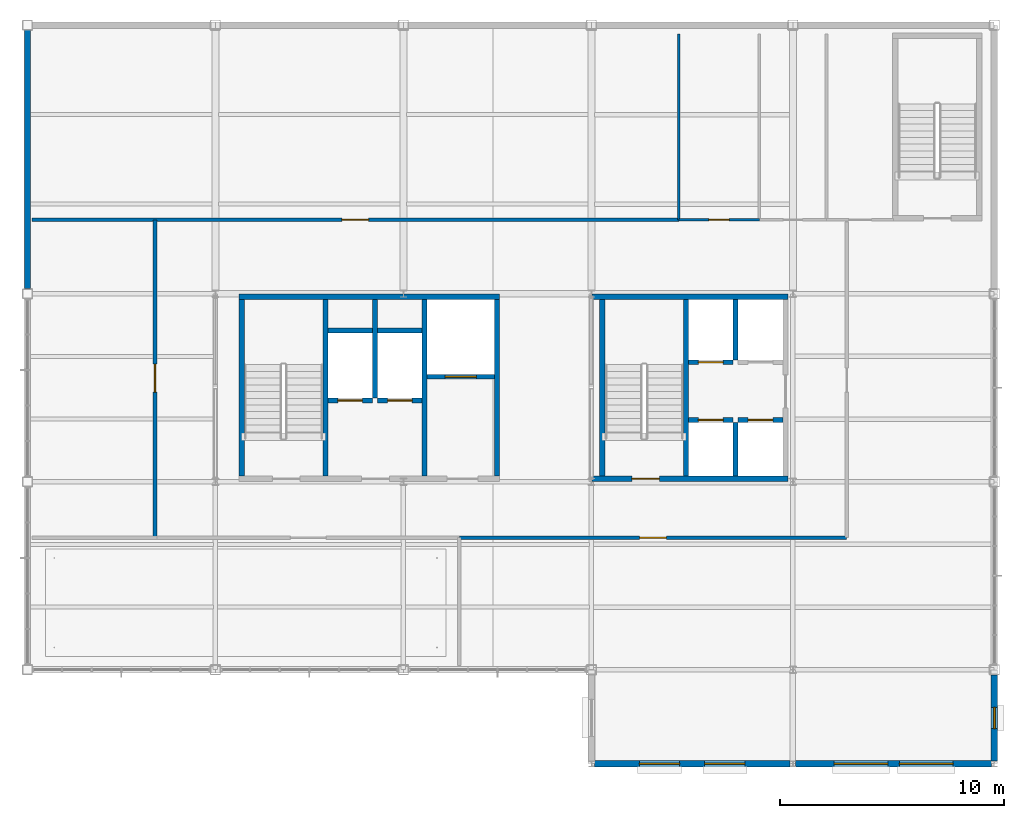
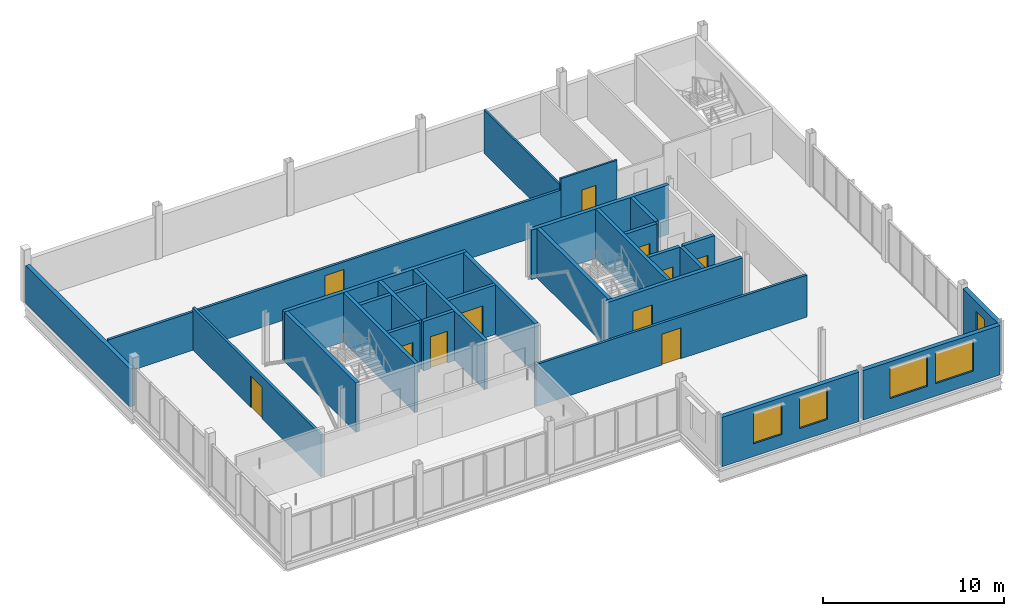
# One storey, part 14 of 19: 29 walls, 11 doors, 5 windows, 16 openings.
"""IFC4 building model written with IfcOpenShell, lengths in metres."""

import ifcopenshell
import ifcopenshell.guid

model = None  # the IFC model being written
_history = None  # IfcOwnerHistory: only IFC2X3 demands one
_inside = {}  # id of a spatial element -> (the spatial element, [elements in it])
_under = {}  # id of a project, library or spatial element -> (it, [spatial elements below it])
_declared = {}  # id of a project -> (the project, [libraries it declares])
_typed = {}  # id of a type object -> (the type object, [elements of that type])
_made_of = {}  # id of a material, layer set ... -> (it, [elements and type objects made of it])


def new_model(schema):
    """Start an empty IFC model of exactly this schema.

    Asked for "IFC4X3", IfcOpenShell would pick the latest addendum, in which some entities
    have other attributes; the version numbers below select the first issue.
    IFC2X3 requires an IfcOwnerHistory on every rooted entity: one is made here for all.
    """
    global model, _history
    if schema == "IFC4X3":
        model = ifcopenshell.file(schema_version=(4, 3, 0, 0))
    else:
        model = ifcopenshell.file(schema=schema)
    _inside.clear()
    _under.clear()
    _declared.clear()
    _typed.clear()
    _made_of.clear()
    _history = None
    if model.schema == "IFC2X3":
        org = make("IfcOrganization", Name="unknown")
        user = make(
            "IfcPersonAndOrganization",
            ThePerson=make("IfcPerson", FamilyName="unknown"),
            TheOrganization=org,
        )
        app = make(
            "IfcApplication",
            ApplicationDeveloper=org,
            Version="unknown",
            ApplicationFullName="unknown",
            ApplicationIdentifier="unknown",
        )
        _history = make(
            "IfcOwnerHistory",
            OwningUser=user,
            OwningApplication=app,
            ChangeAction="ADDED",
            CreationDate=0,
        )
    return model


def make(cls, **values):
    """One entity of the class cls with the attributes given. An attribute that is None is left unset."""
    return model.create_entity(
        cls, **{name: value for name, value in values.items() if value is not None}
    )


def rooted(cls, **values):
    """An entity with a GlobalId (a new one), such as an element, a storey or a relation."""
    return make(cls, GlobalId=ifcopenshell.guid.new(), OwnerHistory=_history, **values)


def si_unit(unit_type, name, prefix=None):
    """IfcSIUnit, for example si_unit("LENGTHUNIT", "METRE", prefix="MILLI")."""
    return make("IfcSIUnit", UnitType=unit_type, Prefix=prefix, Name=name)


def assignment(units):
    """IfcUnitAssignment: the units of a project."""
    return None if units is None else make("IfcUnitAssignment", Units=units)


def point(xyz):
    """IfcCartesianPoint."""
    return None if xyz is None else make("IfcCartesianPoint", Coordinates=xyz)


def direction(xyz):
    """IfcDirection."""
    return None if xyz is None else make("IfcDirection", DirectionRatios=xyz)


def frame(location, z_axis=None, x_axis=None):
    """IfcAxis2Placement3D, a coordinate frame: its origin and axes. An axis left out is left unset."""
    return make(
        "IfcAxis2Placement3D",
        Location=point(location),
        Axis=direction(z_axis),
        RefDirection=direction(x_axis),
    )


def frame_2d(location, x_axis=None):
    """IfcAxis2Placement2D, a coordinate frame in the plane: its origin and x axis."""
    return make(
        "IfcAxis2Placement2D", Location=point(location), RefDirection=direction(x_axis)
    )


def origin():
    """The frame at (0, 0, 0) with its axes left unset."""
    return frame((0.0, 0.0, 0.0))


def place(relative_to, where):
    """IfcLocalPlacement: puts the frame where relative to a parent placement (None: the world)."""
    return make(
        "IfcLocalPlacement", PlacementRelTo=relative_to, RelativePlacement=where
    )


def context(
    kind, dimensions, precision=None, world=None, true_north=None, identifier=None
):
    """IfcGeometricRepresentationContext, for example the 3D "Model" context."""
    return make(
        "IfcGeometricRepresentationContext",
        ContextIdentifier=identifier,
        ContextType=kind,
        CoordinateSpaceDimension=dimensions,
        Precision=precision,
        WorldCoordinateSystem=world,
        TrueNorth=true_north,
    )


def subcontext(parent, identifier, kind, view, scale=None):
    """IfcGeometricRepresentationSubContext, for example "Body" below "Model"."""
    return make(
        "IfcGeometricRepresentationSubContext",
        ContextIdentifier=identifier,
        ContextType=kind,
        ParentContext=parent,
        TargetScale=scale,
        TargetView=view,
    )


def project(units=None, contexts=None):
    """IfcProject with its units and contexts."""
    return rooted(
        "IfcProject",
        Name="project",
        RepresentationContexts=contexts,
        UnitsInContext=assignment(units),
    )


def spatial(cls, under=None, at=None, **own):
    """A site, building, storey or space (cls), placed at a placement, below another one or the project."""
    s = rooted(cls, ObjectPlacement=at, **own)
    if under is not None:
        _under.setdefault(under.id(), (under, []))[1].append(s)
    return s


def profile(cls, at=None, kind="AREA", **sizes):
    """A parametric profile (cls). Its sizes go by their IFC names, for example OverallWidth=200.0."""
    return make(cls, ProfileType=kind, Position=at, **sizes)


def rectangle(**sizes):
    """IfcRectangleProfileDef."""
    return profile("IfcRectangleProfileDef", **sizes)


def extrude(swept, where, along, depth):
    """IfcExtrudedAreaSolid: the profile swept, set in the frame where, extruded along a direction by depth."""
    return make(
        "IfcExtrudedAreaSolid",
        SweptArea=swept,
        Position=where,
        ExtrudedDirection=direction(along),
        Depth=depth,
    )


def shape(context_of_items, identifier, shape_type, items):
    """IfcShapeRepresentation: the items that make up one representation, for example the "Body"."""
    return make(
        "IfcShapeRepresentation",
        ContextOfItems=context_of_items,
        RepresentationIdentifier=identifier,
        RepresentationType=shape_type,
        Items=items,
    )


def material(Name=None, Category=None):
    """IfcMaterial."""
    return make("IfcMaterial", Name=Name, Category=Category)


def layer(
    of_material, thickness, ventilated=None, Name=None, Category=None, Priority=None
):
    """IfcMaterialLayer: one layer of a wall or slab, of a material (None: an air gap)."""
    return make(
        "IfcMaterialLayer",
        Material=of_material,
        LayerThickness=thickness,
        IsVentilated=ventilated,
        Name=Name,
        Category=Category,
        Priority=Priority,
    )


def layer_set(layers, Name=None):
    """IfcMaterialLayerSet."""
    return make("IfcMaterialLayerSet", MaterialLayers=layers, LayerSetName=Name)


def made_of(thing, what):
    """Note that an element or type object is made of a material, layer set ...; save() writes the relation."""
    if what is not None:
        _made_of.setdefault(what.id(), (what, []))[1].append(thing)
    return thing


def type_object(cls, material=None, **own):
    """A type object (cls), such as IfcWallType, which elements share."""
    return made_of(rooted(cls, **own), material)


def element(
    cls,
    number,
    at=None,
    inside=None,
    cuts=None,
    type_object=None,
    material=None,
    context=None,
    identifier="Body",
    shape_type=None,
    held_by="IfcProductDefinitionShape",
    body=None,
    shapes=None,
    **own,
):
    """One element of the class cls, such as IfcWall. Its Tag is "e" and its number.

    at: its placement. inside: the storey or other place that contains it. cuts: it is an
    opening in that element (IfcRelVoidsElement). A single representation is given by context,
    identifier, shape_type and body (its items); several are given by shapes. held_by: the class
    of the entity that holds the representations. save() writes the other relations.
    """
    e = rooted(cls, Tag="e%d" % number, ObjectPlacement=at, **own)
    if body is not None:
        shapes = [shape(context, identifier, shape_type, body)]
    if shapes is not None:
        e.Representation = make(held_by, Representations=shapes)
    if inside is not None:
        _inside.setdefault(inside.id(), (inside, []))[1].append(e)
    if cuts is not None:
        rooted(
            "IfcRelVoidsElement", RelatingBuildingElement=cuts, RelatedOpeningElement=e
        )
    if type_object is not None:
        _typed.setdefault(type_object.id(), (type_object, []))[1].append(e)
    return made_of(e, material)


def fill(opening, filler):
    """IfcRelFillsElement: the door or window that sits in an opening."""
    return rooted(
        "IfcRelFillsElement",
        RelatingOpeningElement=opening,
        RelatedBuildingElement=filler,
    )


def aggregate(whole, parts):
    """IfcRelAggregates: a whole, such as a stair, and the parts it consists of."""
    return rooted("IfcRelAggregates", RelatingObject=whole, RelatedObjects=parts)


def save(model, path):
    """Write the relations noted so far, then the file.

    IfcRelAggregates (storeys below a building ...), IfcRelContainedInSpatialStructure (elements
    in a storey), IfcRelDefinesByType, IfcRelAssociatesMaterial and IfcRelDeclares: one each for
    every whole, place, type object, material and project.
    """
    for whole, parts in _under.values():
        aggregate(whole, parts)
    for where, things in _inside.values():
        rooted(
            "IfcRelContainedInSpatialStructure",
            RelatedElements=things,
            RelatingStructure=where,
        )
    for kind, things in _typed.values():
        rooted("IfcRelDefinesByType", RelatedObjects=things, RelatingType=kind)
    for what, things in _made_of.values():
        rooted("IfcRelAssociatesMaterial", RelatedObjects=things, RelatingMaterial=what)
    for by, libraries in _declared.values():
        rooted("IfcRelDeclares", RelatingContext=by, RelatedDefinitions=libraries)
    model.write(path)


model = new_model("IFC4")

# Units and contexts
model_context = context("Model", 3, precision=1e-05, world=origin(), true_north=direction((0.0, 1.0)))
body_context = subcontext(model_context, "Body", "Model", "MODEL_VIEW")
ifc_project = project(units=[si_unit("LENGTHUNIT", "METRE"), si_unit("AREAUNIT", "SQUARE_METRE"), si_unit("VOLUMEUNIT", "CUBIC_METRE"), si_unit("PLANEANGLEUNIT", "RADIAN"), si_unit("MASSUNIT", "GRAM", prefix="KILO")], contexts=[model_context])

# Site, building, storey
site_placement = place(None, origin())
site = spatial("IfcSite", under=ifc_project, at=site_placement, CompositionType="ELEMENT")
building_placement = place(site_placement, origin())
building = spatial("IfcBuilding", under=site, at=building_placement, Name="Yukiwa Park Conservatory and Herbarium", CompositionType="ELEMENT")
storey_placement = place(building_placement, frame((0.0, 0.0, 46.800048828125)))
storey = spatial("IfcBuildingStorey", under=building, at=storey_placement, Name="L12", CompositionType="ELEMENT", Elevation=46.800048828125)

# Walls
ifc_material_1 = material(Name="Concrete C40", Category="concrete")
ifc_layer_1 = layer(ifc_material_1, 0.219970703125)
ifc_layer_set_1 = layer_set([ifc_layer_1], Name="Concrete C40")
wall_type_1 = type_object("IfcWallType", Name="WL-CORE-RC220", PredefinedType="SHEAR", material=ifc_layer_set_1)
wall_1_placement = place(storey_placement, frame((138.110107421875, 95.050048828125, 0.0), z_axis=(0.0, 0.0, 1.0), x_axis=(0.0, 1.0, 0.0)))
element("IfcWall", 1, at=wall_1_placement, inside=storey, type_object=wall_type_1, Name="L12 core shear wall 706", PredefinedType="SHEAR", context=body_context, shape_type="SweptSolid", body=[
    extrude(rectangle(XDim=7.89990234375, YDim=0.219970703125, at=frame_2d((3.949951171875, 0.0))), origin(), (0.0, 0.0, 1.0), 3.337890625),
])
wall_2_placement = place(storey_placement, frame((140.330078125, 98.5400390625, 0.0), z_axis=(0.0, 0.0, 1.0), x_axis=(0.0, 1.0, 0.0)))
element("IfcWall", 2, at=wall_2_placement, inside=storey, type_object=wall_type_1, Name="L12 core shear wall 707", PredefinedType="SHEAR", context=body_context, shape_type="SweptSolid", body=[
    extrude(rectangle(XDim=4.409912109375, YDim=0.219970703125, at=frame_2d((2.205078125, 0.0))), origin(), (0.0, 0.0, 1.0), 3.337890625),
])
wall_3_placement = place(storey_placement, frame((142.550048828125, 95.050048828125, 0.0), z_axis=(0.0, 0.0, 1.0), x_axis=(0.0, 1.0, 0.0)))
element("IfcWall", 3, at=wall_3_placement, inside=storey, type_object=wall_type_1, Name="L12 core shear wall 708", PredefinedType="SHEAR", context=body_context, shape_type="SweptSolid", body=[
    extrude(rectangle(XDim=7.89990234375, YDim=0.219970703125, at=frame_2d((3.949951171875, 0.0))), origin(), (0.0, 0.0, 1.0), 3.337890625),
])

# Wall, opening, door
wall_4_placement = place(storey_placement, frame((138.219970703125, 98.429931640625, 0.0), z_axis=(0.0, 0.0, 1.0), x_axis=(1.0, 0.0, 0.0)))
wall_4 = element("IfcWall", 4, at=wall_4_placement, inside=storey, type_object=wall_type_1, Name="L12 core shear wall 710", PredefinedType="SHEAR", context=body_context, shape_type="SweptSolid", body=[
    extrude(rectangle(XDim=2.0, YDim=0.219970703125, at=frame_2d((1.0, 0.0))), origin(), (0.0, 0.0, 1.0), 3.337890625),
])
opening_1_placement = place(wall_4_placement, frame((0.449951171875, 0.0, 0.0)))
opening_1 = element("IfcOpeningElement", 5, at=opening_1_placement, cuts=wall_4, Name="Opening LD-01", PredefinedType="OPENING", context=body_context, shape_type="SweptSolid", body=[
    extrude(rectangle(XDim=1.10009765625, YDim=2.14990234375, at=frame_2d((0.550048828125, 1.074951171875))), frame((0.0, 0.1201171875, 0.0), z_axis=(0.0, -1.0, 0.0), x_axis=(1.0, 0.0, 0.0)), (0.0, 0.0, 1.0), 0.239990234375),
])
ifc_material_2 = material(Name="Steel Q235B", Category="steel")
door_type_1 = type_object("IfcDoorType", Name="DR-LIFT-LD1100", OperationType="SLIDING_TO_LEFT", PredefinedType="DOOR", material=ifc_material_2)
door_1_placement = place(opening_1_placement, origin())
door_1 = element("IfcDoor", 6, at=door_1_placement, inside=storey, type_object=door_type_1, Name="L12 Firefighting Lift FL1 sliding landing door", OperationType="SLIDING_TO_LEFT", OverallHeight=2.14990234375, OverallWidth=1.10009765625, PredefinedType="DOOR", context=body_context, shape_type="SweptSolid", body=[
    extrude(rectangle(XDim=1.10009765625, YDim=2.14990234375, at=frame_2d((0.550048828125, 1.074951171875))), frame((0.0, 0.02490234375, 0.0), z_axis=(0.0, -1.0, 0.0), x_axis=(1.0, 0.0, 0.0)), (0.0, 0.0, 1.0), 0.050048828125),
])
fill(opening_1, door_1)

wall_5_placement = place(storey_placement, frame((140.43994140625, 98.429931640625, 0.0), z_axis=(0.0, 0.0, 1.0), x_axis=(1.0, 0.0, 0.0)))
wall_5 = element("IfcWall", 7, at=wall_5_placement, inside=storey, type_object=wall_type_1, Name="L12 core shear wall 711", PredefinedType="SHEAR", context=body_context, shape_type="SweptSolid", body=[
    extrude(rectangle(XDim=2.0, YDim=0.219970703125, at=frame_2d((1.0, 0.0))), origin(), (0.0, 0.0, 1.0), 3.337890625),
])
opening_2_placement = place(wall_5_placement, frame((0.449951171875, 0.0, 0.0)))
opening_2 = element("IfcOpeningElement", 8, at=opening_2_placement, cuts=wall_5, Name="Opening LD-01", PredefinedType="OPENING", context=body_context, shape_type="SweptSolid", body=[
    extrude(rectangle(XDim=1.10009765625, YDim=2.14990234375, at=frame_2d((0.550048828125, 1.074951171875))), frame((0.0, 0.1201171875, 0.0), z_axis=(0.0, -1.0, 0.0), x_axis=(1.0, 0.0, 0.0)), (0.0, 0.0, 1.0), 0.239990234375),
])
door_2_placement = place(opening_2_placement, origin())
door_2 = element("IfcDoor", 9, at=door_2_placement, inside=storey, type_object=door_type_1, Name="L12 Firefighting Lift FL2 sliding landing door", OperationType="SLIDING_TO_LEFT", OverallHeight=2.14990234375, OverallWidth=1.10009765625, PredefinedType="DOOR", context=body_context, shape_type="SweptSolid", body=[
    extrude(rectangle(XDim=1.10009765625, YDim=2.14990234375, at=frame_2d((0.550048828125, 1.074951171875))), frame((0.0, 0.02490234375, 0.0), z_axis=(0.0, -1.0, 0.0), x_axis=(1.0, 0.0, 0.0)), (0.0, 0.0, 1.0), 0.050048828125),
])
fill(opening_2, door_2)

# Walls
for number, where, z_axis, x_axis, name in (
    (10, (138.219970703125, 101.550048828125, 0.0), (0.0, 0.0, 1.0), (1.0, 0.0, 0.0), "L12 core shear wall 712"),
    (11, (140.43994140625, 101.550048828125, 0.0), (0.0, 0.0, 1.0), (1.0, 0.0, 0.0), "L12 core shear wall 713"),
):
    element("IfcWall", number, at=place(storey_placement, frame(where, z_axis=z_axis, x_axis=x_axis)), inside=storey, type_object=wall_type_1, Name=name, PredefinedType="SHEAR", context=body_context, shape_type="SweptSolid", body=[
        extrude(rectangle(XDim=2.0, YDim=0.219970703125, at=frame_2d((1.0, 0.0))), origin(), (0.0, 0.0, 1.0), 3.337890625),
    ])

# Wall, opening, door
wall_6_placement = place(storey_placement, frame((142.659912109375, 99.489990234375, 0.0), z_axis=(0.0, 0.0, 1.0), x_axis=(1.0, 0.0, 0.0)))
wall_6 = element("IfcWall", 12, at=wall_6_placement, inside=storey, type_object=wall_type_1, Name="L12 core shear wall 714", PredefinedType="SHEAR", context=body_context, shape_type="SweptSolid", body=[
    extrude(rectangle(XDim=3.0, YDim=0.219970703125, at=frame_2d((1.5, 0.0))), origin(), (0.0, 0.0, 1.0), 3.337890625),
])
opening_3_placement = place(wall_6_placement, frame((0.800048828125, 0.0, 0.0)))
opening_3 = element("IfcOpeningElement", 13, at=opening_3_placement, cuts=wall_6, Name="Opening LD-02", PredefinedType="OPENING", context=body_context, shape_type="SweptSolid", body=[
    extrude(rectangle(XDim=1.39990234375, YDim=2.199951171875, at=frame_2d((0.699951171875, 1.10009765625))), frame((0.0, 0.1201171875, 0.0), z_axis=(0.0, -1.0, 0.0), x_axis=(1.0, 0.0, 0.0)), (0.0, 0.0, 1.0), 0.239990234375),
])
ifc_material_3 = material(Name="Steel Q235B", Category="steel")
door_type_2 = type_object("IfcDoorType", Name="DR-LIFT-LD1400", OperationType="SLIDING_TO_LEFT", PredefinedType="DOOR", material=ifc_material_3)
door_3_placement = place(opening_3_placement, origin())
door_3 = element("IfcDoor", 14, at=door_3_placement, inside=storey, type_object=door_type_2, Name="L12 Goods Lift GL1 sliding landing door", OperationType="SLIDING_TO_LEFT", OverallHeight=2.199951171875, OverallWidth=1.39990234375, PredefinedType="DOOR", context=body_context, shape_type="SweptSolid", body=[
    extrude(rectangle(XDim=1.39990234375, YDim=2.199951171875, at=frame_2d((0.699951171875, 1.10009765625))), frame((0.0, 0.02490234375, 0.0), z_axis=(0.0, -1.0, 0.0), x_axis=(1.0, 0.0, 0.0)), (0.0, 0.0, 1.0), 0.050048828125),
])
fill(opening_3, door_3)

# Walls
wall_7_placement = place(storey_placement, frame((154.219970703125, 95.050048828125, 0.0), z_axis=(0.0, 0.0, 1.0), x_axis=(0.0, 1.0, 0.0)))
element("IfcWall", 15, at=wall_7_placement, inside=storey, type_object=wall_type_1, Name="L12 core shear wall 718", PredefinedType="SHEAR", context=body_context, shape_type="SweptSolid", body=[
    extrude(rectangle(XDim=7.89990234375, YDim=0.219970703125, at=frame_2d((3.949951171875, 0.0))), origin(), (0.0, 0.0, 1.0), 3.337890625),
])
wall_8_placement = place(storey_placement, frame((156.43994140625, 100.25, 0.0), z_axis=(0.0, 0.0, 1.0), x_axis=(0.0, 1.0, 0.0)))
element("IfcWall", 16, at=wall_8_placement, inside=storey, type_object=wall_type_1, Name="L12 core shear wall 720", PredefinedType="SHEAR", context=body_context, shape_type="SweptSolid", body=[
    extrude(rectangle(XDim=2.699951171875, YDim=0.219970703125, at=frame_2d((1.35009765625, 0.0))), origin(), (0.0, 0.0, 1.0), 3.337890625),
])

# Wall, opening, door
wall_9_placement = place(storey_placement, frame((154.330078125, 100.139892578125, 0.0), z_axis=(0.0, 0.0, 1.0), x_axis=(1.0, 0.0, 0.0)))
wall_9 = element("IfcWall", 17, at=wall_9_placement, inside=storey, type_object=wall_type_1, Name="L12 core shear wall 721", PredefinedType="SHEAR", context=body_context, shape_type="SweptSolid", body=[
    extrude(rectangle(XDim=2.0, YDim=0.219970703125, at=frame_2d((1.0, 0.0))), origin(), (0.0, 0.0, 1.0), 3.337890625),
])
opening_4_placement = place(wall_9_placement, frame((0.449951171875, 0.0, 0.0)))
opening_4 = element("IfcOpeningElement", 18, at=opening_4_placement, cuts=wall_9, Name="Opening LD-01", PredefinedType="OPENING", context=body_context, shape_type="SweptSolid", body=[
    extrude(rectangle(XDim=1.10009765625, YDim=2.14990234375, at=frame_2d((0.550048828125, 1.074951171875))), frame((0.0, 0.1201171875, 0.0), z_axis=(0.0, -1.0, 0.0), x_axis=(1.0, 0.0, 0.0)), (0.0, 0.0, 1.0), 0.239990234375),
])
door_4_placement = place(opening_4_placement, origin())
door_4 = element("IfcDoor", 19, at=door_4_placement, inside=storey, type_object=door_type_1, Name="L12 Passenger Lift LP1 sliding landing door", OperationType="SLIDING_TO_LEFT", OverallHeight=2.14990234375, OverallWidth=1.10009765625, PredefinedType="DOOR", context=body_context, shape_type="SweptSolid", body=[
    extrude(rectangle(XDim=1.10009765625, YDim=2.14990234375, at=frame_2d((0.550048828125, 1.074951171875))), frame((0.0, 0.02490234375, 0.0), z_axis=(0.0, -1.0, 0.0), x_axis=(1.0, 0.0, 0.0)), (0.0, 0.0, 1.0), 0.050048828125),
])
fill(opening_4, door_4)

# Wall
wall_10_placement = place(storey_placement, frame((156.43994140625, 95.050048828125, 0.0), z_axis=(0.0, 0.0, 1.0), x_axis=(0.0, 1.0, 0.0)))
element("IfcWall", 20, at=wall_10_placement, inside=storey, type_object=wall_type_1, Name="L12 core shear wall 723", PredefinedType="SHEAR", context=body_context, shape_type="SweptSolid", body=[
    extrude(rectangle(XDim=2.39990234375, YDim=0.219970703125, at=frame_2d((1.199951171875, 0.0))), origin(), (0.0, 0.0, 1.0), 3.337890625),
])

# Wall, opening, door
wall_11_placement = place(storey_placement, frame((154.330078125, 97.56005859375, 0.0), z_axis=(0.0, 0.0, 1.0), x_axis=(1.0, 0.0, 0.0)))
wall_11 = element("IfcWall", 21, at=wall_11_placement, inside=storey, type_object=wall_type_1, Name="L12 core shear wall 724", PredefinedType="SHEAR", context=body_context, shape_type="SweptSolid", body=[
    extrude(rectangle(XDim=2.0, YDim=0.219970703125, at=frame_2d((1.0, 0.0))), origin(), (0.0, 0.0, 1.0), 3.337890625),
])
opening_5_placement = place(wall_11_placement, frame((0.449951171875, 0.0, 0.0)))
opening_5 = element("IfcOpeningElement", 22, at=opening_5_placement, cuts=wall_11, Name="Opening LD-01", PredefinedType="OPENING", context=body_context, shape_type="SweptSolid", body=[
    extrude(rectangle(XDim=1.10009765625, YDim=2.14990234375, at=frame_2d((0.550048828125, 1.074951171875))), frame((0.0, 0.1201171875, 0.0), z_axis=(0.0, -1.0, 0.0), x_axis=(1.0, 0.0, 0.0)), (0.0, 0.0, 1.0), 0.239990234375),
])
door_5_placement = place(opening_5_placement, origin())
door_5 = element("IfcDoor", 23, at=door_5_placement, inside=storey, type_object=door_type_1, Name="L12 Passenger Lift LP3 sliding landing door", OperationType="SLIDING_TO_LEFT", OverallHeight=2.14990234375, OverallWidth=1.10009765625, PredefinedType="DOOR", context=body_context, shape_type="SweptSolid", body=[
    extrude(rectangle(XDim=1.10009765625, YDim=2.14990234375, at=frame_2d((0.550048828125, 1.074951171875))), frame((0.0, 0.02490234375, 0.0), z_axis=(0.0, -1.0, 0.0), x_axis=(1.0, 0.0, 0.0)), (0.0, 0.0, 1.0), 0.050048828125),
])
fill(opening_5, door_5)

wall_12_placement = place(storey_placement, frame((156.550048828125, 97.56005859375, 0.0), z_axis=(0.0, 0.0, 1.0), x_axis=(1.0, 0.0, 0.0)))
wall_12 = element("IfcWall", 24, at=wall_12_placement, inside=storey, type_object=wall_type_1, Name="L12 core shear wall 725", PredefinedType="SHEAR", context=body_context, shape_type="SweptSolid", body=[
    extrude(rectangle(XDim=2.0, YDim=0.219970703125, at=frame_2d((1.0, 0.0))), origin(), (0.0, 0.0, 1.0), 3.337890625),
])
opening_6_placement = place(wall_12_placement, frame((0.449951171875, 0.0, 0.0)))
opening_6 = element("IfcOpeningElement", 25, at=opening_6_placement, cuts=wall_12, Name="Opening LD-01", PredefinedType="OPENING", context=body_context, shape_type="SweptSolid", body=[
    extrude(rectangle(XDim=1.10009765625, YDim=2.14990234375, at=frame_2d((0.550048828125, 1.074951171875))), frame((0.0, 0.1201171875, 0.0), z_axis=(0.0, -1.0, 0.0), x_axis=(1.0, 0.0, 0.0)), (0.0, 0.0, 1.0), 0.239990234375),
])
door_6_placement = place(opening_6_placement, origin())
door_6 = element("IfcDoor", 26, at=door_6_placement, inside=storey, type_object=door_type_1, Name="L12 Passenger Lift LP4 sliding landing door", OperationType="SLIDING_TO_LEFT", OverallHeight=2.14990234375, OverallWidth=1.10009765625, PredefinedType="DOOR", context=body_context, shape_type="SweptSolid", body=[
    extrude(rectangle(XDim=1.10009765625, YDim=2.14990234375, at=frame_2d((0.550048828125, 1.074951171875))), frame((0.0, 0.02490234375, 0.0), z_axis=(0.0, -1.0, 0.0), x_axis=(1.0, 0.0, 0.0)), (0.0, 0.0, 1.0), 0.050048828125),
])
fill(opening_6, door_6)

# Walls
ifc_material_4 = material(Name="Concrete C50", Category="concrete")
ifc_layer_2 = layer(ifc_material_4, 0.239990234375)
ifc_layer_set_2 = layer_set([ifc_layer_2], Name="Concrete C50")
wall_type_2 = type_object("IfcWallType", Name="WL-CORE-RC240", PredefinedType="SHEAR", material=ifc_layer_set_2)
wall_13_placement = place(storey_placement, frame((134.25, 103.070068359375, 0.0), z_axis=(0.0, 0.0, 1.0), x_axis=(1.0, 0.0, 0.0)))
element("IfcWall", 27, at=wall_13_placement, inside=storey, type_object=wall_type_2, Name="L12 core shear wall 704", PredefinedType="SHEAR", context=body_context, shape_type="SweptSolid", body=[
    extrude(rectangle(XDim=11.64990234375, YDim=0.239990234375, at=frame_2d((5.824951171875, 0.0))), origin(), (0.0, 0.0, 1.0), 3.337890625),
])
for number, where, z_axis, x_axis, name in (
    (28, (134.3701171875, 95.050048828125, 0.0), (0.0, 0.0, 1.0), (0.0, 1.0, 0.0), "L12 core shear wall 705"),
    (29, (145.780029296875, 95.050048828125, 0.0), (0.0, 0.0, 1.0), (0.0, 1.0, 0.0), "L12 core shear wall 709"),
):
    element("IfcWall", number, at=place(storey_placement, frame(where, z_axis=z_axis, x_axis=x_axis)), inside=storey, type_object=wall_type_2, Name=name, PredefinedType="SHEAR", context=body_context, shape_type="SweptSolid", body=[
        extrude(rectangle(XDim=7.89990234375, YDim=0.239990234375, at=frame_2d((3.949951171875, 0.0))), origin(), (0.0, 0.0, 1.0), 3.337890625),
    ])

# Wall, opening, door
wall_14_placement = place(storey_placement, frame((150.02001953125, 94.929931640625, 0.0), z_axis=(0.0, 0.0, 1.0), x_axis=(1.0, 0.0, 0.0)))
wall_14 = element("IfcWall", 30, at=wall_14_placement, inside=storey, type_object=wall_type_2, Name="L12 core shear wall 715", PredefinedType="SHEAR", context=body_context, shape_type="SweptSolid", body=[
    extrude(rectangle(XDim=8.77001953125, YDim=0.239990234375, at=frame_2d((4.385009765625, 0.0))), origin(), (0.0, 0.0, 1.0), 3.337890625),
])
opening_7_placement = place(wall_14_placement, frame((1.7900390625, 0.0, 0.0)))
opening_7 = element("IfcOpeningElement", 31, at=opening_7_placement, cuts=wall_14, Name="Opening SD-01", PredefinedType="OPENING", context=body_context, shape_type="SweptSolid", body=[
    extrude(rectangle(XDim=1.219970703125, YDim=2.179931640625, at=frame_2d((0.60986328125, 1.08984375))), frame((0.0, 0.1298828125, 0.0), z_axis=(0.0, -1.0, 0.0), x_axis=(1.0, 0.0, 0.0)), (0.0, 0.0, 1.0), 0.260009765625),
])
ifc_material_5 = material(Name="Steel Q235B", Category="steel")
door_type_3 = type_object("IfcDoorType", Name="DR-STAIR-FD90-1200", OperationType="SINGLE_SWING_LEFT", PredefinedType="DOOR", material=ifc_material_5)
door_7_placement = place(opening_7_placement, origin())
door_7 = element("IfcDoor", 32, at=door_7_placement, inside=storey, type_object=door_type_3, Name="L12 Stairwell ST-T2 fire door", OperationType="SINGLE_SWING_LEFT", OverallHeight=2.179931640625, OverallWidth=1.219970703125, PredefinedType="DOOR", context=body_context, shape_type="SweptSolid", body=[
    extrude(rectangle(XDim=1.219970703125, YDim=2.179931640625, at=frame_2d((0.60986328125, 1.08984375))), frame((0.0, 0.02490234375, 0.0), z_axis=(0.0, -1.0, 0.0), x_axis=(1.0, 0.0, 0.0)), (0.0, 0.0, 1.0), 0.050048828125),
])
fill(opening_7, door_7)

# Walls
wall_15_placement = place(storey_placement, frame((150.02001953125, 103.070068359375, 0.0), z_axis=(0.0, 0.0, 1.0), x_axis=(1.0, 0.0, 0.0)))
element("IfcWall", 33, at=wall_15_placement, inside=storey, type_object=wall_type_2, Name="L12 core shear wall 716", PredefinedType="SHEAR", context=body_context, shape_type="SweptSolid", body=[
    extrude(rectangle(XDim=8.77001953125, YDim=0.239990234375, at=frame_2d((4.385009765625, 0.0))), origin(), (0.0, 0.0, 1.0), 3.337890625),
])
wall_16_placement = place(storey_placement, frame((150.47998046875, 95.050048828125, 0.0), z_axis=(0.0, 0.0, 1.0), x_axis=(0.0, 1.0, 0.0)))
element("IfcWall", 34, at=wall_16_placement, inside=storey, type_object=wall_type_2, Name="L12 core shear wall 717", PredefinedType="SHEAR", context=body_context, shape_type="SweptSolid", body=[
    extrude(rectangle(XDim=7.89990234375, YDim=0.239990234375, at=frame_2d((3.949951171875, 0.0))), origin(), (0.0, 0.0, 1.0), 3.337890625),
])

# Wall, opening, window
ifc_material_6 = material(Name="Pale Granite Cladding", Category="masonry")
ifc_layer_3 = layer(ifc_material_6, 0.280029296875)
ifc_layer_set_3 = layer_set([ifc_layer_3], Name="Pale Granite Cladding")
wall_type_3 = type_object("IfcWallType", Name="WL-EXT-GRAN-280", PredefinedType="SOLIDWALL", material=ifc_layer_set_3)
wall_17_placement = place(storey_placement, frame((168.0, 82.324951171875, 0.0), z_axis=(0.0, 0.0, 1.0), x_axis=(0.0, 1.0, 0.0)))
wall_17 = element("IfcWall", 35, at=wall_17_placement, inside=storey, type_object=wall_type_3, Name="L12 exterior envelope wall 370", PredefinedType="SOLIDWALL", context=body_context, shape_type="SweptSolid", body=[
    extrude(rectangle(XDim=3.85009765625, YDim=0.280029296875, at=frame_2d((1.925048828125, 0.0))), origin(), (0.0, 0.0, 1.0), 3.337890625),
])
opening_8_placement = place(wall_17_placement, frame((1.449951171875, 0.0, 0.949951171875)))
opening_8 = element("IfcOpeningElement", 36, at=opening_8_placement, cuts=wall_17, Name="Opening W-21", PredefinedType="OPENING", context=body_context, shape_type="SweptSolid", body=[
    extrude(rectangle(XDim=0.949951171875, YDim=1.75, at=frame_2d((0.47509765625, 0.875))), frame((0.0, 0.14990234375, 0.0), z_axis=(0.0, -1.0, 0.0), x_axis=(1.0, 0.0, 0.0)), (0.0, 0.0, 1.0), 0.300048828125),
])
ifc_material_7 = material(Name="Triple Low-E Insulated Glass", Category="glass")
window_type_1 = type_object("IfcWindowType", Name="WN-TW-0950X1750", PartitioningType="SINGLE_PANEL", PredefinedType="WINDOW", material=ifc_material_7)
window_1_placement = place(opening_8_placement, origin())
window_1 = element("IfcWindow", 37, at=window_1_placement, inside=storey, type_object=window_type_1, Name="L12 deep-reveal triple-glazed window 283", OverallHeight=1.75, OverallWidth=0.949951171875, PartitioningType="SINGLE_PANEL", PredefinedType="WINDOW", context=body_context, shape_type="SweptSolid", body=[
    extrude(rectangle(XDim=0.949951171875, YDim=1.75, at=frame_2d((0.47509765625, 0.875))), frame((0.0, 0.030029296875, 0.0), z_axis=(0.0, -1.0, 0.0), x_axis=(1.0, 0.0, 0.0)), (0.0, 0.0, 1.0), 0.06005859375),
])
fill(opening_8, window_1)

# Wall
wall_18_placement = place(storey_placement, frame((124.800048828125, 114.97509765625, 0.0), z_axis=(0.0, 0.0, 1.0), x_axis=(0.0, -1.0, 0.0)))
element("IfcWall", 38, at=wall_18_placement, inside=storey, type_object=wall_type_3, Name="L12 exterior envelope wall 377", PredefinedType="SOLIDWALL", context=body_context, shape_type="SweptSolid", body=[
    extrude(rectangle(XDim=11.550048828125, YDim=0.280029296875, at=frame_2d((5.77490234375, 0.0))), origin(), (0.0, 0.0, 1.0), 2.5478515625),
])

# Wall, openings, windows
wall_19_placement = place(storey_placement, frame((150.125, 82.199951171875, 0.0), z_axis=(0.0, 0.0, 1.0), x_axis=(1.0, 0.0, 0.0)))
wall_19 = element("IfcWall", 39, at=wall_19_placement, inside=storey, type_object=wall_type_3, Name="L12 exterior envelope wall 379", PredefinedType="SOLIDWALL", context=body_context, shape_type="SweptSolid", body=[
    extrude(rectangle(XDim=8.75, YDim=0.280029296875, at=frame_2d((4.375, 0.0))), origin(), (0.0, 0.0, 1.0), 3.337890625),
])
opening_9_placement = place(wall_19_placement, frame((2.01708984375, 0.0, 0.85009765625)))
opening_9 = element("IfcOpeningElement", 40, at=opening_9_placement, cuts=wall_19, Name="Opening W-07", PredefinedType="OPENING", context=body_context, shape_type="SweptSolid", body=[
    extrude(rectangle(XDim=1.800048828125, YDim=2.10009765625, at=frame_2d((0.89990234375, 1.050048828125))), frame((0.0, 0.14990234375, 0.0), z_axis=(0.0, -1.0, 0.0), x_axis=(1.0, 0.0, 0.0)), (0.0, 0.0, 1.0), 0.300048828125),
])
opening_10_placement = place(wall_19_placement, frame((4.93310546875, 0.0, 0.85009765625)))
opening_10 = element("IfcOpeningElement", 41, at=opening_10_placement, cuts=wall_19, Name="Opening W-07", PredefinedType="OPENING", context=body_context, shape_type="SweptSolid", body=[
    extrude(rectangle(XDim=1.800048828125, YDim=2.10009765625, at=frame_2d((0.89990234375, 1.050048828125))), frame((0.0, 0.14990234375, 0.0), z_axis=(0.0, -1.0, 0.0), x_axis=(1.0, 0.0, 0.0)), (0.0, 0.0, 1.0), 0.300048828125),
])
ifc_material_8 = material(Name="Triple Low-E Insulated Glass", Category="glass")
window_type_2 = type_object("IfcWindowType", Name="WN-TW-1800X2100", PartitioningType="SINGLE_PANEL", PredefinedType="WINDOW", material=ifc_material_8)
window_2_placement = place(opening_9_placement, origin())
window_2 = element("IfcWindow", 42, at=window_2_placement, inside=storey, type_object=window_type_2, Name="L12 deep-reveal triple-glazed window 285", OverallHeight=2.10009765625, OverallWidth=1.800048828125, PartitioningType="SINGLE_PANEL", PredefinedType="WINDOW", context=body_context, shape_type="SweptSolid", body=[
    extrude(rectangle(XDim=1.800048828125, YDim=2.10009765625, at=frame_2d((0.89990234375, 1.050048828125))), frame((0.0, 0.030029296875, 0.0), z_axis=(0.0, -1.0, 0.0), x_axis=(1.0, 0.0, 0.0)), (0.0, 0.0, 1.0), 0.06005859375),
])
fill(opening_9, window_2)
window_3_placement = place(opening_10_placement, origin())
window_3 = element("IfcWindow", 43, at=window_3_placement, inside=storey, type_object=window_type_2, Name="L12 deep-reveal triple-glazed window 286", OverallHeight=2.10009765625, OverallWidth=1.800048828125, PartitioningType="SINGLE_PANEL", PredefinedType="WINDOW", context=body_context, shape_type="SweptSolid", body=[
    extrude(rectangle(XDim=1.800048828125, YDim=2.10009765625, at=frame_2d((0.89990234375, 1.050048828125))), frame((0.0, 0.030029296875, 0.0), z_axis=(0.0, -1.0, 0.0), x_axis=(1.0, 0.0, 0.0)), (0.0, 0.0, 1.0), 0.06005859375),
])
fill(opening_10, window_3)

wall_20_placement = place(storey_placement, frame((159.125, 82.199951171875, 0.0), z_axis=(0.0, 0.0, 1.0), x_axis=(1.0, 0.0, 0.0)))
wall_20 = element("IfcWall", 44, at=wall_20_placement, inside=storey, type_object=wall_type_3, Name="L12 exterior envelope wall 380", PredefinedType="SOLIDWALL", context=body_context, shape_type="SweptSolid", body=[
    extrude(rectangle(XDim=8.75, YDim=0.280029296875, at=frame_2d((4.375, 0.0))), origin(), (0.0, 0.0, 1.0), 3.337890625),
])
opening_11_placement = place(wall_20_placement, frame((1.717041015625, 0.0, 0.85009765625)))
opening_11 = element("IfcOpeningElement", 45, at=opening_11_placement, cuts=wall_20, Name="Opening W-09", PredefinedType="OPENING", context=body_context, shape_type="SweptSolid", body=[
    extrude(rectangle(XDim=2.39990234375, YDim=2.10009765625, at=frame_2d((1.199951171875, 1.050048828125))), frame((0.0, 0.14990234375, 0.0), z_axis=(0.0, -1.0, 0.0), x_axis=(1.0, 0.0, 0.0)), (0.0, 0.0, 1.0), 0.300048828125),
])
opening_12_placement = place(wall_20_placement, frame((4.633056640625, 0.0, 0.85009765625)))
opening_12 = element("IfcOpeningElement", 46, at=opening_12_placement, cuts=wall_20, Name="Opening W-09", PredefinedType="OPENING", context=body_context, shape_type="SweptSolid", body=[
    extrude(rectangle(XDim=2.39990234375, YDim=2.10009765625, at=frame_2d((1.199951171875, 1.050048828125))), frame((0.0, 0.14990234375, 0.0), z_axis=(0.0, -1.0, 0.0), x_axis=(1.0, 0.0, 0.0)), (0.0, 0.0, 1.0), 0.300048828125),
])
ifc_material_9 = material(Name="Triple Low-E Insulated Glass", Category="glass")
window_type_3 = type_object("IfcWindowType", Name="WN-TW-2400X2100", PartitioningType="SINGLE_PANEL", PredefinedType="WINDOW", material=ifc_material_9)
window_4_placement = place(opening_11_placement, origin())
window_4 = element("IfcWindow", 47, at=window_4_placement, inside=storey, type_object=window_type_3, Name="L12 deep-reveal triple-glazed window 287", OverallHeight=2.10009765625, OverallWidth=2.39990234375, PartitioningType="SINGLE_PANEL", PredefinedType="WINDOW", context=body_context, shape_type="SweptSolid", body=[
    extrude(rectangle(XDim=2.39990234375, YDim=2.10009765625, at=frame_2d((1.199951171875, 1.050048828125))), frame((0.0, 0.030029296875, 0.0), z_axis=(0.0, -1.0, 0.0), x_axis=(1.0, 0.0, 0.0)), (0.0, 0.0, 1.0), 0.06005859375),
])
fill(opening_11, window_4)
window_5_placement = place(opening_12_placement, origin())
window_5 = element("IfcWindow", 48, at=window_5_placement, inside=storey, type_object=window_type_3, Name="L12 deep-reveal triple-glazed window 288", OverallHeight=2.10009765625, OverallWidth=2.39990234375, PartitioningType="SINGLE_PANEL", PredefinedType="WINDOW", context=body_context, shape_type="SweptSolid", body=[
    extrude(rectangle(XDim=2.39990234375, YDim=2.10009765625, at=frame_2d((1.199951171875, 1.050048828125))), frame((0.0, 0.030029296875, 0.0), z_axis=(0.0, -1.0, 0.0), x_axis=(1.0, 0.0, 0.0)), (0.0, 0.0, 1.0), 0.06005859375),
])
fill(opening_12, window_5)

# Wall, opening, door
ifc_material_10 = material(Name="Gypsum Board Partition", Category="gypsum")
ifc_layer_4 = layer(ifc_material_10, 0.159912109375)
ifc_layer_set_4 = layer_set([ifc_layer_4], Name="Gypsum Board Partition")
wall_type_4 = type_object("IfcWallType", Name="WL-PART-GYP-160", PredefinedType="PARTITIONING", material=ifc_layer_set_4)
wall_21_placement = place(storey_placement, frame((144.10009765625, 92.300048828125, 0.0), z_axis=(0.0, 0.0, 1.0), x_axis=(1.0, 0.0, 0.0)))
wall_21 = element("IfcWall", 49, at=wall_21_placement, inside=storey, type_object=wall_type_4, Name="L12 interior partition wall 738", PredefinedType="PARTITIONING", context=body_context, shape_type="SweptSolid", body=[
    extrude(rectangle(XDim=17.2998046875, YDim=0.159912109375, at=frame_2d((8.64990234375, 0.0))), origin(), (0.0, 0.0, 1.0), 2.837890625),
])
opening_13_placement = place(wall_21_placement, frame((8.050048828125, 0.0, 0.0)))
opening_13 = element("IfcOpeningElement", 50, at=opening_13_placement, cuts=wall_21, Name="Opening ID-12", PredefinedType="OPENING", context=body_context, shape_type="SweptSolid", body=[
    extrude(rectangle(XDim=1.199951171875, YDim=2.080078125, at=frame_2d((0.60009765625, 1.0400390625))), frame((0.0, 0.08984375, 0.0), z_axis=(0.0, -1.0, 0.0), x_axis=(1.0, 0.0, 0.0)), (0.0, 0.0, 1.0), 0.179931640625),
])
ifc_material_11 = material(Name="Charred Larch Cladding", Category="wood")
door_type_4 = type_object("IfcDoorType", Name="DR-INT-1200", OperationType="SINGLE_SWING_LEFT", PredefinedType="DOOR", material=ifc_material_11)
door_8_placement = place(opening_13_placement, origin())
door_8 = element("IfcDoor", 51, at=door_8_placement, inside=storey, type_object=door_type_4, Name="L12 Council Seminar Room door", OperationType="SINGLE_SWING_LEFT", OverallHeight=2.080078125, OverallWidth=1.199951171875, PredefinedType="DOOR", context=body_context, shape_type="SweptSolid", body=[
    extrude(rectangle(XDim=1.199951171875, YDim=2.080078125, at=frame_2d((0.60009765625, 1.0400390625))), frame((0.0, 0.02490234375, 0.0), z_axis=(0.0, -1.0, 0.0), x_axis=(1.0, 0.0, 0.0)), (0.0, 0.0, 1.0), 0.050048828125),
])
fill(opening_13, door_8)

wall_22_placement = place(storey_placement, frame((130.5, 92.300048828125, 0.0), z_axis=(0.0, 0.0, 1.0), x_axis=(0.0, 1.0, 0.0)))
wall_22 = element("IfcWall", 52, at=wall_22_placement, inside=storey, type_object=wall_type_4, Name="L12 interior partition wall 741", PredefinedType="PARTITIONING", context=body_context, shape_type="SweptSolid", body=[
    extrude(rectangle(XDim=14.199951171875, YDim=0.159912109375, at=frame_2d((7.10009765625, 0.0))), origin(), (0.0, 0.0, 1.0), 2.837890625),
])
opening_14_placement = place(wall_22_placement, frame((6.5, 0.0, 0.0)))
opening_14 = element("IfcOpeningElement", 53, at=opening_14_placement, cuts=wall_22, Name="Opening LD-12", PredefinedType="OPENING", context=body_context, shape_type="SweptSolid", body=[
    extrude(rectangle(XDim=1.25, YDim=2.1201171875, at=frame_2d((0.625, 1.06005859375))), frame((0.0, 0.08984375, 0.0), z_axis=(0.0, -1.0, 0.0), x_axis=(1.0, 0.0, 0.0)), (0.0, 0.0, 1.0), 0.179931640625),
])
ifc_material_12 = material(Name="Steel Q235B", Category="steel")
door_type_5 = type_object("IfcDoorType", Name="DR-LAB-1200", OperationType="SINGLE_SWING_LEFT", PredefinedType="DOOR", material=ifc_material_12)
door_9_placement = place(opening_14_placement, origin())
door_9 = element("IfcDoor", 54, at=door_9_placement, inside=storey, type_object=door_type_5, Name="L12 Phenomics Lab door", OperationType="SINGLE_SWING_LEFT", OverallHeight=2.1201171875, OverallWidth=1.25, PredefinedType="DOOR", context=body_context, shape_type="SweptSolid", body=[
    extrude(rectangle(XDim=1.25, YDim=2.1201171875, at=frame_2d((0.625, 1.06005859375))), frame((0.0, 0.02490234375, 0.0), z_axis=(0.0, -1.0, 0.0), x_axis=(1.0, 0.0, 0.0)), (0.0, 0.0, 1.0), 0.050048828125),
])
fill(opening_14, door_9)

wall_23_placement = place(storey_placement, frame((125.0, 106.5, 0.0), z_axis=(0.0, 0.0, 1.0), x_axis=(1.0, 0.0, 0.0)))
wall_23 = element("IfcWall", 55, at=wall_23_placement, inside=storey, type_object=wall_type_4, Name="L12 interior partition wall 742", PredefinedType="PARTITIONING", context=body_context, shape_type="SweptSolid", body=[
    extrude(rectangle(XDim=28.89990234375, YDim=0.159912109375, at=frame_2d((14.449951171875, 0.0))), origin(), (0.0, 0.0, 1.0), 2.587890625),
])
opening_15_placement = place(wall_23_placement, frame((13.85009765625, 0.0, 0.0)))
opening_15 = element("IfcOpeningElement", 56, at=opening_15_placement, cuts=wall_23, Name="Opening ID-12", PredefinedType="OPENING", context=body_context, shape_type="SweptSolid", body=[
    extrude(rectangle(XDim=1.199951171875, YDim=2.080078125, at=frame_2d((0.60009765625, 1.0400390625))), frame((0.0, 0.08984375, 0.0), z_axis=(0.0, -1.0, 0.0), x_axis=(1.0, 0.0, 0.0)), (0.0, 0.0, 1.0), 0.179931640625),
])
door_10_placement = place(opening_15_placement, origin())
door_10 = element("IfcDoor", 57, at=door_10_placement, inside=storey, type_object=door_type_4, Name="L12 Senior Fellows Suite door", OperationType="SINGLE_SWING_LEFT", OverallHeight=2.080078125, OverallWidth=1.199951171875, PredefinedType="DOOR", context=body_context, shape_type="SweptSolid", body=[
    extrude(rectangle(XDim=1.199951171875, YDim=2.080078125, at=frame_2d((0.60009765625, 1.0400390625))), frame((0.0, 0.02490234375, 0.0), z_axis=(0.0, -1.0, 0.0), x_axis=(1.0, 0.0, 0.0)), (0.0, 0.0, 1.0), 0.050048828125),
])
fill(opening_15, door_10)

ifc_material_13 = material(Name="Gypsum Board Partition", Category="gypsum")
ifc_layer_5 = layer(ifc_material_13, 0.1201171875)
ifc_layer_set_5 = layer_set([ifc_layer_5], Name="Gypsum Board Partition")
wall_type_5 = type_object("IfcWallType", Name="WL-PART-WET-150", PredefinedType="PARTITIONING", material=ifc_layer_set_5)
wall_24_placement = place(storey_placement, frame((153.89990234375, 106.5, 0.0), z_axis=(0.0, 0.0, 1.0), x_axis=(1.0, 0.0, 0.0)))
wall_24 = element("IfcWall", 58, at=wall_24_placement, inside=storey, type_object=wall_type_5, Name="L12 interior partition wall 730", PredefinedType="PARTITIONING", context=body_context, shape_type="SweptSolid", body=[
    extrude(rectangle(XDim=3.60009765625, YDim=0.1201171875, at=frame_2d((1.800048828125, 0.0))), origin(), (0.0, 0.0, 1.0), 3.337890625),
])
opening_16_placement = place(wall_24_placement, frame((1.35009765625, 0.0, 0.0)))
opening_16 = element("IfcOpeningElement", 59, at=opening_16_placement, cuts=wall_24, Name="Opening ID-09", PredefinedType="OPENING", context=body_context, shape_type="SweptSolid", body=[
    extrude(rectangle(XDim=0.89990234375, YDim=2.10009765625, at=frame_2d((0.449951171875, 1.050048828125))), frame((0.0, 0.070068359375, 0.0), z_axis=(0.0, -1.0, 0.0), x_axis=(1.0, 0.0, 0.0)), (0.0, 0.0, 1.0), 0.14013671875),
])
ifc_material_14 = material(Name="Charred Larch Cladding", Category="wood")
door_type_6 = type_object("IfcDoorType", Name="DR-INT-900", OperationType="SINGLE_SWING_LEFT", PredefinedType="DOOR", material=ifc_material_14)
door_11_placement = place(opening_16_placement, origin())
door_11 = element("IfcDoor", 60, at=door_11_placement, inside=storey, type_object=door_type_6, Name="L12 Public WC door", OperationType="SINGLE_SWING_LEFT", OverallHeight=2.10009765625, OverallWidth=0.89990234375, PredefinedType="DOOR", context=body_context, shape_type="SweptSolid", body=[
    extrude(rectangle(XDim=0.89990234375, YDim=2.10009765625, at=frame_2d((0.449951171875, 1.050048828125))), frame((0.0, 0.02490234375, 0.0), z_axis=(0.0, -1.0, 0.0), x_axis=(1.0, 0.0, 0.0)), (0.0, 0.0, 1.0), 0.050048828125),
])
fill(opening_16, door_11)

# Wall
wall_25_placement = place(storey_placement, frame((153.89990234375, 106.5, 0.0), z_axis=(0.0, 0.0, 1.0), x_axis=(0.0, 1.0, 0.0)))
element("IfcWall", 61, at=wall_25_placement, inside=storey, type_object=wall_type_5, Name="L12 interior partition wall 733", PredefinedType="PARTITIONING", context=body_context, shape_type="SweptSolid", body=[
    extrude(rectangle(XDim=8.300048828125, YDim=0.1201171875, at=frame_2d((4.14990234375, 0.0))), origin(), (0.0, 0.0, 1.0), 2.93798828125),
])

save(model, "model.ifc")
